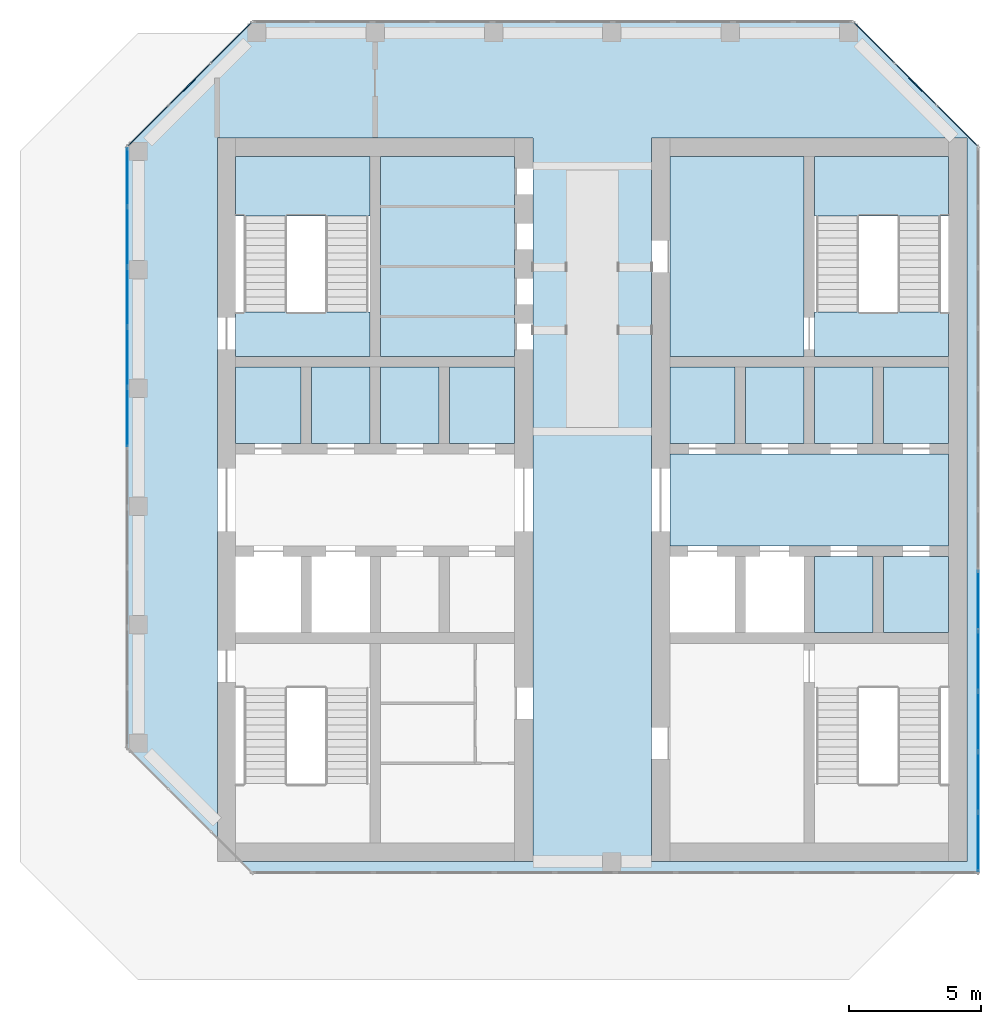
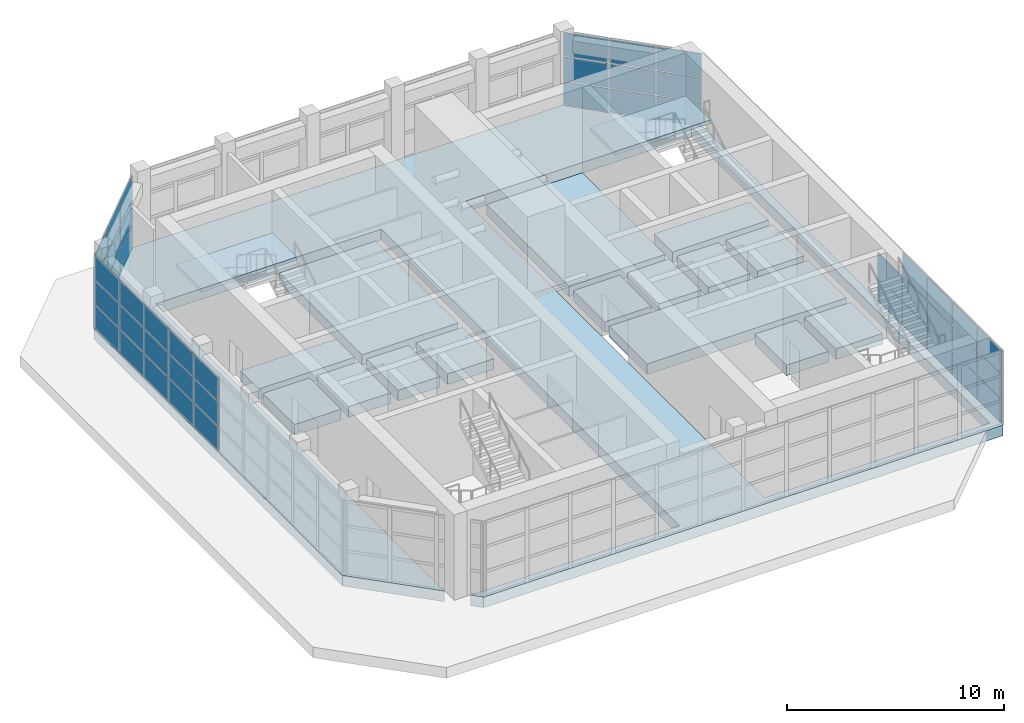
# One storey, part 8 of 13: 47 plates, 18 slabs, 6 elements without a shape of their own.
"""IFC4 building model written with IfcOpenShell, lengths in metres."""

from ifc_helpers import new_model, si_unit, direction, frame, origin, origin_2d, place, context, subcontext, project, spatial, polyline, rectangle, outline, extrude, material, layer, layer_set, type_object, element, aggregate, save


model = new_model("IFC4")

# Units and contexts
model_context = context("Model", 3, precision=1e-05, world=origin(), true_north=direction((0.0, 1.0)))
body_context = subcontext(model_context, "Body", "Model", "MODEL_VIEW")
ifc_project = project(units=[si_unit("LENGTHUNIT", "METRE"), si_unit("AREAUNIT", "SQUARE_METRE"), si_unit("VOLUMEUNIT", "CUBIC_METRE"), si_unit("PLANEANGLEUNIT", "RADIAN"), si_unit("MASSUNIT", "GRAM", prefix="KILO")], contexts=[model_context])

# Site, building, storey
site_placement = place(None, origin())
site = spatial("IfcSite", under=ifc_project, at=site_placement, CompositionType="ELEMENT")
building_placement = place(site_placement, origin())
building = spatial("IfcBuilding", under=site, at=building_placement, Name="Corbel Stack Research Tower", CompositionType="ELEMENT")
storey_placement = place(building_placement, frame((0.0, 0.0, 311.800048828125)))
storey = spatial("IfcBuildingStorey", under=building, at=storey_placement, Name="L70", CompositionType="ELEMENT", Elevation=311.800048828125)

# Curtain wall, plates
ifc_material_1 = material(Name="Aluminium and glass", Category="aluminium")
curtain_wall_type = type_object("IfcCurtainWallType", Name="CW4C damper hall glazing wall, corner", PredefinedType="NOTDEFINED", material=ifc_material_1)
curtain_wall_1_placement = place(storey_placement, origin())
curtain_wall_1 = element("IfcCurtainWall", 1, at=curtain_wall_1_placement, inside=storey, type_object=curtain_wall_type, Name="Damper hall curtain wall L70 2", PredefinedType="NOTDEFINED")
ifc_material_2 = material(Name="Glass, laminated amber tint", Category="glass")
ifc_layer_1 = layer(ifc_material_2, 0.031982421875)
ifc_layer_set_1 = layer_set([ifc_layer_1], Name="Glass, laminated amber tint")
plate_type = type_object("IfcPlateType", Name="CW4 amber laminated glass panel 32", PredefinedType="CURTAIN_PANEL", material=ifc_layer_set_1)
plate_1_placement = place(storey_placement, frame((-13.919921875, 7.892333984375, 0.059814453125), z_axis=(0.0, 0.0, 1.0), x_axis=(0.0, 1.0, 0.0)))
plate_1 = element("IfcPlate", 2, at=plate_1_placement, type_object=plate_type, Name="CW4C panel 6.1", PredefinedType="CURTAIN_PANEL", context=body_context, shape_type="SweptSolid", body=[
    extrude(rectangle(XDim=2.224853515625, YDim=0.031982421875, at=origin_2d()), origin(), (0.0, 0.0, 1.0), 1.31005859375),
])
plate_2_placement = place(storey_placement, frame((-13.919921875, 7.892333984375, 1.4296875), z_axis=(0.0, 0.0, 1.0), x_axis=(0.0, 1.0, 0.0)))
plate_2 = element("IfcPlate", 3, at=plate_2_placement, type_object=plate_type, Name="CW4C panel 6.2", PredefinedType="CURTAIN_PANEL", context=body_context, shape_type="SweptSolid", body=[
    extrude(rectangle(XDim=2.224853515625, YDim=0.031982421875, at=origin_2d()), origin(), (0.0, 0.0, 1.0), 1.340087890625),
])
plate_3_placement = place(storey_placement, frame((-13.919921875, 7.892333984375, 2.829833984375), z_axis=(0.0, 0.0, 1.0), x_axis=(0.0, 1.0, 0.0)))
plate_3 = element("IfcPlate", 4, at=plate_3_placement, type_object=plate_type, Name="CW4C panel 6.3", PredefinedType="CURTAIN_PANEL", context=body_context, shape_type="SweptSolid", body=[
    extrude(rectangle(XDim=2.224853515625, YDim=0.031982421875, at=origin_2d()), origin(), (0.0, 0.0, 1.0), 1.31005859375),
])
plate_4_placement = place(storey_placement, frame((-13.919921875, 10.17724609375, 0.059814453125), z_axis=(0.0, 0.0, 1.0), x_axis=(0.0, 1.0, 0.0)))
plate_4 = element("IfcPlate", 5, at=plate_4_placement, type_object=plate_type, Name="CW4C panel 7.1", PredefinedType="CURTAIN_PANEL", context=body_context, shape_type="SweptSolid", body=[
    extrude(rectangle(XDim=2.224853515625, YDim=0.031982421875, at=origin_2d()), origin(), (0.0, 0.0, 1.0), 1.31005859375),
])
plate_5_placement = place(storey_placement, frame((-13.919921875, 10.17724609375, 1.4296875), z_axis=(0.0, 0.0, 1.0), x_axis=(0.0, 1.0, 0.0)))
plate_5 = element("IfcPlate", 6, at=plate_5_placement, type_object=plate_type, Name="CW4C panel 7.2", PredefinedType="CURTAIN_PANEL", context=body_context, shape_type="SweptSolid", body=[
    extrude(rectangle(XDim=2.224853515625, YDim=0.031982421875, at=origin_2d()), origin(), (0.0, 0.0, 1.0), 1.340087890625),
])
plate_6_placement = place(storey_placement, frame((-13.919921875, 10.17724609375, 2.829833984375), z_axis=(0.0, 0.0, 1.0), x_axis=(0.0, 1.0, 0.0)))
plate_6 = element("IfcPlate", 7, at=plate_6_placement, type_object=plate_type, Name="CW4C panel 7.3", PredefinedType="CURTAIN_PANEL", context=body_context, shape_type="SweptSolid", body=[
    extrude(rectangle(XDim=2.224853515625, YDim=0.031982421875, at=origin_2d()), origin(), (0.0, 0.0, 1.0), 1.31005859375),
])
plate_7_placement = place(storey_placement, frame((-13.919921875, 12.4619140625, 0.059814453125), z_axis=(0.0, 0.0, 1.0), x_axis=(0.0, 1.0, 0.0)))
plate_7 = element("IfcPlate", 8, at=plate_7_placement, type_object=plate_type, Name="CW4C panel 8.1", PredefinedType="CURTAIN_PANEL", context=body_context, shape_type="SweptSolid", body=[
    extrude(rectangle(XDim=2.224853515625, YDim=0.031982421875, at=origin_2d()), origin(), (0.0, 0.0, 1.0), 1.31005859375),
])
plate_8_placement = place(storey_placement, frame((-13.919921875, 12.4619140625, 1.4296875), z_axis=(0.0, 0.0, 1.0), x_axis=(0.0, 1.0, 0.0)))
plate_8 = element("IfcPlate", 9, at=plate_8_placement, type_object=plate_type, Name="CW4C panel 8.2", PredefinedType="CURTAIN_PANEL", context=body_context, shape_type="SweptSolid", body=[
    extrude(rectangle(XDim=2.224853515625, YDim=0.031982421875, at=origin_2d()), origin(), (0.0, 0.0, 1.0), 1.340087890625),
])
plate_9_placement = place(storey_placement, frame((-13.919921875, 12.4619140625, 2.829833984375), z_axis=(0.0, 0.0, 1.0), x_axis=(0.0, 1.0, 0.0)))
plate_9 = element("IfcPlate", 10, at=plate_9_placement, type_object=plate_type, Name="CW4C panel 8.3", PredefinedType="CURTAIN_PANEL", context=body_context, shape_type="SweptSolid", body=[
    extrude(rectangle(XDim=2.224853515625, YDim=0.031982421875, at=origin_2d()), origin(), (0.0, 0.0, 1.0), 1.31005859375),
])
plate_10_placement = place(storey_placement, frame((-13.919921875, 14.746826171875, 0.059814453125), z_axis=(0.0, 0.0, 1.0), x_axis=(0.0, 1.0, 0.0)))
plate_10 = element("IfcPlate", 11, at=plate_10_placement, type_object=plate_type, Name="CW4C panel 9.1", PredefinedType="CURTAIN_PANEL", context=body_context, shape_type="SweptSolid", body=[
    extrude(rectangle(XDim=2.224853515625, YDim=0.031982421875, at=origin_2d()), origin(), (0.0, 0.0, 1.0), 1.31005859375),
])
plate_11_placement = place(storey_placement, frame((-13.919921875, 14.746826171875, 1.4296875), z_axis=(0.0, 0.0, 1.0), x_axis=(0.0, 1.0, 0.0)))
plate_11 = element("IfcPlate", 12, at=plate_11_placement, type_object=plate_type, Name="CW4C panel 9.2", PredefinedType="CURTAIN_PANEL", context=body_context, shape_type="SweptSolid", body=[
    extrude(rectangle(XDim=2.224853515625, YDim=0.031982421875, at=origin_2d()), origin(), (0.0, 0.0, 1.0), 1.340087890625),
])
plate_12_placement = place(storey_placement, frame((-13.919921875, 14.746826171875, 2.829833984375), z_axis=(0.0, 0.0, 1.0), x_axis=(0.0, 1.0, 0.0)))
plate_12 = element("IfcPlate", 13, at=plate_12_placement, type_object=plate_type, Name="CW4C panel 9.3", PredefinedType="CURTAIN_PANEL", context=body_context, shape_type="SweptSolid", body=[
    extrude(rectangle(XDim=2.224853515625, YDim=0.031982421875, at=origin_2d()), origin(), (0.0, 0.0, 1.0), 1.31005859375),
])
plate_13_placement = place(storey_placement, frame((-13.919921875, 17.0166015625, 0.059814453125), z_axis=(0.0, 0.0, 1.0), x_axis=(0.0, 1.0, 0.0)))
plate_13 = element("IfcPlate", 14, at=plate_13_placement, type_object=plate_type, Name="CW4C panel 10.1", PredefinedType="CURTAIN_PANEL", context=body_context, shape_type="SweptSolid", body=[
    extrude(rectangle(XDim=2.19482421875, YDim=0.031982421875, at=origin_2d()), origin(), (0.0, 0.0, 1.0), 1.31005859375),
])
plate_14_placement = place(storey_placement, frame((-13.919921875, 17.0166015625, 1.4296875), z_axis=(0.0, 0.0, 1.0), x_axis=(0.0, 1.0, 0.0)))
plate_14 = element("IfcPlate", 15, at=plate_14_placement, type_object=plate_type, Name="CW4C panel 10.2", PredefinedType="CURTAIN_PANEL", context=body_context, shape_type="SweptSolid", body=[
    extrude(rectangle(XDim=2.19482421875, YDim=0.031982421875, at=origin_2d()), origin(), (0.0, 0.0, 1.0), 1.340087890625),
])
plate_15_placement = place(storey_placement, frame((-13.919921875, 17.0166015625, 2.829833984375), z_axis=(0.0, 0.0, 1.0), x_axis=(0.0, 1.0, 0.0)))
plate_15 = element("IfcPlate", 16, at=plate_15_placement, type_object=plate_type, Name="CW4C panel 10.3", PredefinedType="CURTAIN_PANEL", context=body_context, shape_type="SweptSolid", body=[
    extrude(rectangle(XDim=2.19482421875, YDim=0.031982421875, at=origin_2d()), origin(), (0.0, 0.0, 1.0), 1.31005859375),
])
aggregate(curtain_wall_1, [plate_1, plate_2, plate_3, plate_4, plate_5, plate_6, plate_7, plate_8, plate_9, plate_10, plate_11, plate_12, plate_13, plate_14, plate_15])

curtain_wall_2_placement = place(storey_placement, origin())
curtain_wall_2 = element("IfcCurtainWall", 17, at=curtain_wall_2_placement, inside=storey, type_object=curtain_wall_type, Name="Damper hall curtain wall L70 3", PredefinedType="NOTDEFINED")
plate_16_placement = place(storey_placement, frame((-13.118408203125, 18.9755859375, 0.059814453125), z_axis=(0.0, 0.0, 1.0), x_axis=(0.707106781187, 0.707106781187, 0.0)))
plate_16 = element("IfcPlate", 18, at=plate_16_placement, type_object=plate_type, Name="CW4C panel 1.1", PredefinedType="CURTAIN_PANEL", context=body_context, shape_type="SweptSolid", body=[
    extrude(rectangle(XDim=2.147216796875, YDim=0.031982421875, at=origin_2d()), origin(), (0.0, 0.0, 1.0), 1.31005859375),
])
plate_17_placement = place(storey_placement, frame((-13.118408203125, 18.9755859375, 1.4296875), z_axis=(0.0, 0.0, 1.0), x_axis=(0.707106781187, 0.707106781187, 0.0)))
plate_17 = element("IfcPlate", 19, at=plate_17_placement, type_object=plate_type, Name="CW4C panel 1.2", PredefinedType="CURTAIN_PANEL", context=body_context, shape_type="SweptSolid", body=[
    extrude(rectangle(XDim=2.147216796875, YDim=0.031982421875, at=origin_2d()), origin(), (0.0, 0.0, 1.0), 1.340087890625),
])
plate_18_placement = place(storey_placement, frame((-13.118408203125, 18.9755859375, 2.829833984375), z_axis=(0.0, 0.0, 1.0), x_axis=(0.707106781187, 0.707106781187, 0.0)))
plate_18 = element("IfcPlate", 20, at=plate_18_placement, type_object=plate_type, Name="CW4C panel 1.3", PredefinedType="CURTAIN_PANEL", context=body_context, shape_type="SweptSolid", body=[
    extrude(rectangle(XDim=2.147216796875, YDim=0.031982421875, at=origin_2d()), origin(), (0.0, 0.0, 1.0), 1.31005859375),
])
plate_19_placement = place(storey_placement, frame((-11.547119140625, 20.547119140625, 0.059814453125), z_axis=(0.0, 0.0, 1.0), x_axis=(0.707106781187, 0.707106781187, 0.0)))
plate_19 = element("IfcPlate", 21, at=plate_19_placement, type_object=plate_type, Name="CW4C panel 2.1", PredefinedType="CURTAIN_PANEL", context=body_context, shape_type="SweptSolid", body=[
    extrude(rectangle(XDim=2.17724609375, YDim=0.031982421875, at=origin_2d()), origin(), (0.0, 0.0, 1.0), 1.31005859375),
])
plate_20_placement = place(storey_placement, frame((-11.547119140625, 20.547119140625, 1.4296875), z_axis=(0.0, 0.0, 1.0), x_axis=(0.707106781187, 0.707106781187, 0.0)))
plate_20 = element("IfcPlate", 22, at=plate_20_placement, type_object=plate_type, Name="CW4C panel 2.2", PredefinedType="CURTAIN_PANEL", context=body_context, shape_type="SweptSolid", body=[
    extrude(rectangle(XDim=2.17724609375, YDim=0.031982421875, at=origin_2d()), origin(), (0.0, 0.0, 1.0), 1.340087890625),
])
plate_21_placement = place(storey_placement, frame((-11.547119140625, 20.547119140625, 2.829833984375), z_axis=(0.0, 0.0, 1.0), x_axis=(0.707106781187, 0.707106781187, 0.0)))
plate_21 = element("IfcPlate", 23, at=plate_21_placement, type_object=plate_type, Name="CW4C panel 2.3", PredefinedType="CURTAIN_PANEL", context=body_context, shape_type="SweptSolid", body=[
    extrude(rectangle(XDim=2.17724609375, YDim=0.031982421875, at=origin_2d()), origin(), (0.0, 0.0, 1.0), 1.31005859375),
])
plate_22_placement = place(storey_placement, frame((-9.9755859375, 22.118408203125, 0.059814453125), z_axis=(0.0, 0.0, 1.0), x_axis=(0.707106781187, 0.707106781187, 0.0)))
plate_22 = element("IfcPlate", 24, at=plate_22_placement, type_object=plate_type, Name="CW4C panel 3.1", PredefinedType="CURTAIN_PANEL", context=body_context, shape_type="SweptSolid", body=[
    extrude(rectangle(XDim=2.147216796875, YDim=0.031982421875, at=origin_2d()), origin(), (0.0, 0.0, 1.0), 1.31005859375),
])
plate_23_placement = place(storey_placement, frame((-9.9755859375, 22.118408203125, 1.4296875), z_axis=(0.0, 0.0, 1.0), x_axis=(0.707106781187, 0.707106781187, 0.0)))
plate_23 = element("IfcPlate", 25, at=plate_23_placement, type_object=plate_type, Name="CW4C panel 3.2", PredefinedType="CURTAIN_PANEL", context=body_context, shape_type="SweptSolid", body=[
    extrude(rectangle(XDim=2.147216796875, YDim=0.031982421875, at=origin_2d()), origin(), (0.0, 0.0, 1.0), 1.340087890625),
])
plate_24_placement = place(storey_placement, frame((-9.9755859375, 22.118408203125, 2.829833984375), z_axis=(0.0, 0.0, 1.0), x_axis=(0.707106781187, 0.707106781187, 0.0)))
plate_24 = element("IfcPlate", 26, at=plate_24_placement, type_object=plate_type, Name="CW4C panel 3.3", PredefinedType="CURTAIN_PANEL", context=body_context, shape_type="SweptSolid", body=[
    extrude(rectangle(XDim=2.147216796875, YDim=0.031982421875, at=origin_2d()), origin(), (0.0, 0.0, 1.0), 1.31005859375),
])
aggregate(curtain_wall_2, [plate_16, plate_17, plate_18, plate_19, plate_20, plate_21, plate_22, plate_23, plate_24])

curtain_wall_3_placement = place(storey_placement, origin())
curtain_wall_3 = element("IfcCurtainWall", 27, at=curtain_wall_3_placement, inside=storey, type_object=curtain_wall_type, Name="Damper hall curtain wall L70 5", PredefinedType="NOTDEFINED")
plate_25_placement = place(storey_placement, frame((14.4755859375, 22.118408203125, 0.059814453125), z_axis=(0.0, 0.0, 1.0), x_axis=(0.707106781187, -0.707106781187, 0.0)))
plate_25 = element("IfcPlate", 28, at=plate_25_placement, type_object=plate_type, Name="CW4C panel 1.1", PredefinedType="CURTAIN_PANEL", context=body_context, shape_type="SweptSolid", body=[
    extrude(rectangle(XDim=2.147216796875, YDim=0.031982421875, at=origin_2d()), origin(), (0.0, 0.0, 1.0), 1.31005859375),
])
plate_26_placement = place(storey_placement, frame((14.4755859375, 22.118408203125, 1.4296875), z_axis=(0.0, 0.0, 1.0), x_axis=(0.707106781187, -0.707106781187, 0.0)))
plate_26 = element("IfcPlate", 29, at=plate_26_placement, type_object=plate_type, Name="CW4C panel 1.2", PredefinedType="CURTAIN_PANEL", context=body_context, shape_type="SweptSolid", body=[
    extrude(rectangle(XDim=2.147216796875, YDim=0.031982421875, at=origin_2d()), origin(), (0.0, 0.0, 1.0), 1.340087890625),
])
plate_27_placement = place(storey_placement, frame((14.4755859375, 22.118408203125, 2.829833984375), z_axis=(0.0, 0.0, 1.0), x_axis=(0.707106781187, -0.707106781187, 0.0)))
plate_27 = element("IfcPlate", 30, at=plate_27_placement, type_object=plate_type, Name="CW4C panel 1.3", PredefinedType="CURTAIN_PANEL", context=body_context, shape_type="SweptSolid", body=[
    extrude(rectangle(XDim=2.147216796875, YDim=0.031982421875, at=origin_2d()), origin(), (0.0, 0.0, 1.0), 1.31005859375),
])
plate_28_placement = place(storey_placement, frame((16.047119140625, 20.547119140625, 0.059814453125), z_axis=(0.0, 0.0, 1.0), x_axis=(0.707106781187, -0.707106781187, 0.0)))
plate_28 = element("IfcPlate", 31, at=plate_28_placement, type_object=plate_type, Name="CW4C panel 2.1", PredefinedType="CURTAIN_PANEL", context=body_context, shape_type="SweptSolid", body=[
    extrude(rectangle(XDim=2.17724609375, YDim=0.031982421875, at=origin_2d()), origin(), (0.0, 0.0, 1.0), 1.31005859375),
])
plate_29_placement = place(storey_placement, frame((16.047119140625, 20.547119140625, 1.4296875), z_axis=(0.0, 0.0, 1.0), x_axis=(0.707106781187, -0.707106781187, 0.0)))
plate_29 = element("IfcPlate", 32, at=plate_29_placement, type_object=plate_type, Name="CW4C panel 2.2", PredefinedType="CURTAIN_PANEL", context=body_context, shape_type="SweptSolid", body=[
    extrude(rectangle(XDim=2.17724609375, YDim=0.031982421875, at=origin_2d()), origin(), (0.0, 0.0, 1.0), 1.340087890625),
])
plate_30_placement = place(storey_placement, frame((16.047119140625, 20.547119140625, 2.829833984375), z_axis=(0.0, 0.0, 1.0), x_axis=(0.707106781187, -0.707106781187, 0.0)))
plate_30 = element("IfcPlate", 33, at=plate_30_placement, type_object=plate_type, Name="CW4C panel 2.3", PredefinedType="CURTAIN_PANEL", context=body_context, shape_type="SweptSolid", body=[
    extrude(rectangle(XDim=2.17724609375, YDim=0.031982421875, at=origin_2d()), origin(), (0.0, 0.0, 1.0), 1.31005859375),
])
plate_31_placement = place(storey_placement, frame((17.618408203125, 18.9755859375, 0.059814453125), z_axis=(0.0, 0.0, 1.0), x_axis=(0.707106781187, -0.707106781187, 0.0)))
plate_31 = element("IfcPlate", 34, at=plate_31_placement, type_object=plate_type, Name="CW4C panel 3.1", PredefinedType="CURTAIN_PANEL", context=body_context, shape_type="SweptSolid", body=[
    extrude(rectangle(XDim=2.147216796875, YDim=0.031982421875, at=origin_2d()), origin(), (0.0, 0.0, 1.0), 1.31005859375),
])
plate_32_placement = place(storey_placement, frame((17.618408203125, 18.9755859375, 1.4296875), z_axis=(0.0, 0.0, 1.0), x_axis=(0.707106781187, -0.707106781187, 0.0)))
plate_32 = element("IfcPlate", 35, at=plate_32_placement, type_object=plate_type, Name="CW4C panel 3.2", PredefinedType="CURTAIN_PANEL", context=body_context, shape_type="SweptSolid", body=[
    extrude(rectangle(XDim=2.147216796875, YDim=0.031982421875, at=origin_2d()), origin(), (0.0, 0.0, 1.0), 1.340087890625),
])
plate_33_placement = place(storey_placement, frame((17.618408203125, 18.9755859375, 2.829833984375), z_axis=(0.0, 0.0, 1.0), x_axis=(0.707106781187, -0.707106781187, 0.0)))
plate_33 = element("IfcPlate", 36, at=plate_33_placement, type_object=plate_type, Name="CW4C panel 3.3", PredefinedType="CURTAIN_PANEL", context=body_context, shape_type="SweptSolid", body=[
    extrude(rectangle(XDim=2.147216796875, YDim=0.031982421875, at=origin_2d()), origin(), (0.0, 0.0, 1.0), 1.31005859375),
])
aggregate(curtain_wall_3, [plate_25, plate_26, plate_27, plate_28, plate_29, plate_30, plate_31, plate_32, plate_33])

curtain_wall_4_placement = place(storey_placement, origin())
curtain_wall_4 = element("IfcCurtainWall", 37, at=curtain_wall_4_placement, inside=storey, type_object=curtain_wall_type, Name="Damper hall curtain wall L70 6", PredefinedType="NOTDEFINED")
plate_34_placement = place(storey_placement, frame((18.419921875, 0.927734375, 0.059814453125), z_axis=(0.0, 0.0, 1.0), x_axis=(0.0, -1.0, 0.0)))
plate_34 = element("IfcPlate", 38, at=plate_34_placement, type_object=plate_type, Name="CW4C panel 8.1", PredefinedType="CURTAIN_PANEL", context=body_context, shape_type="SweptSolid", body=[
    extrude(rectangle(XDim=2.239501953125, YDim=0.031982421875, at=origin_2d()), origin(), (0.0, 0.0, 1.0), 1.31005859375),
])
plate_35_placement = place(storey_placement, frame((18.419921875, 0.927734375, 1.4296875), z_axis=(0.0, 0.0, 1.0), x_axis=(0.0, -1.0, 0.0)))
plate_35 = element("IfcPlate", 39, at=plate_35_placement, type_object=plate_type, Name="CW4C panel 8.2", PredefinedType="CURTAIN_PANEL", context=body_context, shape_type="SweptSolid", body=[
    extrude(rectangle(XDim=2.239501953125, YDim=0.031982421875, at=origin_2d()), origin(), (0.0, 0.0, 1.0), 1.340087890625),
])
plate_36_placement = place(storey_placement, frame((18.419921875, -1.371826171875, 0.059814453125), z_axis=(0.0, 0.0, 1.0), x_axis=(0.0, -1.0, 0.0)))
plate_36 = element("IfcPlate", 40, at=plate_36_placement, type_object=plate_type, Name="CW4C panel 9.1", PredefinedType="CURTAIN_PANEL", context=body_context, shape_type="SweptSolid", body=[
    extrude(rectangle(XDim=2.239501953125, YDim=0.031982421875, at=origin_2d()), origin(), (0.0, 0.0, 1.0), 1.31005859375),
])
plate_37_placement = place(storey_placement, frame((18.419921875, -1.371826171875, 1.4296875), z_axis=(0.0, 0.0, 1.0), x_axis=(0.0, -1.0, 0.0)))
plate_37 = element("IfcPlate", 41, at=plate_37_placement, type_object=plate_type, Name="CW4C panel 9.2", PredefinedType="CURTAIN_PANEL", context=body_context, shape_type="SweptSolid", body=[
    extrude(rectangle(XDim=2.239501953125, YDim=0.031982421875, at=origin_2d()), origin(), (0.0, 0.0, 1.0), 1.340087890625),
])
plate_38_placement = place(storey_placement, frame((18.419921875, -1.371826171875, 2.829833984375), z_axis=(0.0, 0.0, 1.0), x_axis=(0.0, -1.0, 0.0)))
plate_38 = element("IfcPlate", 42, at=plate_38_placement, type_object=plate_type, Name="CW4C panel 9.3", PredefinedType="CURTAIN_PANEL", context=body_context, shape_type="SweptSolid", body=[
    extrude(rectangle(XDim=2.239501953125, YDim=0.031982421875, at=origin_2d()), origin(), (0.0, 0.0, 1.0), 1.31005859375),
])
plate_39_placement = place(storey_placement, frame((18.419921875, -3.671142578125, 0.059814453125), z_axis=(0.0, 0.0, 1.0), x_axis=(0.0, -1.0, 0.0)))
plate_39 = element("IfcPlate", 43, at=plate_39_placement, type_object=plate_type, Name="CW4C panel 10.1", PredefinedType="CURTAIN_PANEL", context=body_context, shape_type="SweptSolid", body=[
    extrude(rectangle(XDim=2.239501953125, YDim=0.031982421875, at=origin_2d()), origin(), (0.0, 0.0, 1.0), 1.31005859375),
])
plate_40_placement = place(storey_placement, frame((18.419921875, -3.671142578125, 1.4296875), z_axis=(0.0, 0.0, 1.0), x_axis=(0.0, -1.0, 0.0)))
plate_40 = element("IfcPlate", 44, at=plate_40_placement, type_object=plate_type, Name="CW4C panel 10.2", PredefinedType="CURTAIN_PANEL", context=body_context, shape_type="SweptSolid", body=[
    extrude(rectangle(XDim=2.239501953125, YDim=0.031982421875, at=origin_2d()), origin(), (0.0, 0.0, 1.0), 1.340087890625),
])
plate_41_placement = place(storey_placement, frame((18.419921875, -3.671142578125, 2.829833984375), z_axis=(0.0, 0.0, 1.0), x_axis=(0.0, -1.0, 0.0)))
plate_41 = element("IfcPlate", 45, at=plate_41_placement, type_object=plate_type, Name="CW4C panel 10.3", PredefinedType="CURTAIN_PANEL", context=body_context, shape_type="SweptSolid", body=[
    extrude(rectangle(XDim=2.239501953125, YDim=0.031982421875, at=origin_2d()), origin(), (0.0, 0.0, 1.0), 1.31005859375),
])
plate_42_placement = place(storey_placement, frame((18.419921875, -5.970703125, 0.059814453125), z_axis=(0.0, 0.0, 1.0), x_axis=(0.0, -1.0, 0.0)))
plate_42 = element("IfcPlate", 46, at=plate_42_placement, type_object=plate_type, Name="CW4C panel 11.1", PredefinedType="CURTAIN_PANEL", context=body_context, shape_type="SweptSolid", body=[
    extrude(rectangle(XDim=2.239501953125, YDim=0.031982421875, at=origin_2d()), origin(), (0.0, 0.0, 1.0), 1.31005859375),
])
plate_43_placement = place(storey_placement, frame((18.419921875, -5.970703125, 1.4296875), z_axis=(0.0, 0.0, 1.0), x_axis=(0.0, -1.0, 0.0)))
plate_43 = element("IfcPlate", 47, at=plate_43_placement, type_object=plate_type, Name="CW4C panel 11.2", PredefinedType="CURTAIN_PANEL", context=body_context, shape_type="SweptSolid", body=[
    extrude(rectangle(XDim=2.239501953125, YDim=0.031982421875, at=origin_2d()), origin(), (0.0, 0.0, 1.0), 1.340087890625),
])
plate_44_placement = place(storey_placement, frame((18.419921875, -5.970703125, 2.829833984375), z_axis=(0.0, 0.0, 1.0), x_axis=(0.0, -1.0, 0.0)))
plate_44 = element("IfcPlate", 48, at=plate_44_placement, type_object=plate_type, Name="CW4C panel 11.3", PredefinedType="CURTAIN_PANEL", context=body_context, shape_type="SweptSolid", body=[
    extrude(rectangle(XDim=2.239501953125, YDim=0.031982421875, at=origin_2d()), origin(), (0.0, 0.0, 1.0), 1.31005859375),
])
plate_45_placement = place(storey_placement, frame((18.419921875, -8.25537109375, 0.059814453125), z_axis=(0.0, 0.0, 1.0), x_axis=(0.0, -1.0, 0.0)))
plate_45 = element("IfcPlate", 49, at=plate_45_placement, type_object=plate_type, Name="CW4C panel 12.1", PredefinedType="CURTAIN_PANEL", context=body_context, shape_type="SweptSolid", body=[
    extrude(rectangle(XDim=2.20947265625, YDim=0.031982421875, at=origin_2d()), origin(), (0.0, 0.0, 1.0), 1.31005859375),
])
plate_46_placement = place(storey_placement, frame((18.419921875, -8.25537109375, 1.4296875), z_axis=(0.0, 0.0, 1.0), x_axis=(0.0, -1.0, 0.0)))
plate_46 = element("IfcPlate", 50, at=plate_46_placement, type_object=plate_type, Name="CW4C panel 12.2", PredefinedType="CURTAIN_PANEL", context=body_context, shape_type="SweptSolid", body=[
    extrude(rectangle(XDim=2.20947265625, YDim=0.031982421875, at=origin_2d()), origin(), (0.0, 0.0, 1.0), 1.340087890625),
])
plate_47_placement = place(storey_placement, frame((18.419921875, -8.25537109375, 2.829833984375), z_axis=(0.0, 0.0, 1.0), x_axis=(0.0, -1.0, 0.0)))
plate_47 = element("IfcPlate", 51, at=plate_47_placement, type_object=plate_type, Name="CW4C panel 12.3", PredefinedType="CURTAIN_PANEL", context=body_context, shape_type="SweptSolid", body=[
    extrude(rectangle(XDim=2.20947265625, YDim=0.031982421875, at=origin_2d()), origin(), (0.0, 0.0, 1.0), 1.31005859375),
])
aggregate(curtain_wall_4, [plate_34, plate_35, plate_36, plate_37, plate_38, plate_39, plate_40, plate_41, plate_42, plate_43, plate_44, plate_45, plate_46, plate_47])

# Slabs
ifc_material_3 = material(Name="Concrete C45/55", Category="concrete")
ifc_layer_2 = layer(ifc_material_3, 0.60009765625)
ifc_layer_set_2 = layer_set([ifc_layer_2], Name="Concrete C45/55")
slab_type_1 = type_object("IfcSlabType", Name="PT-600", PredefinedType="FLOOR", material=ifc_layer_set_2)
slab_1_placement = place(storey_placement, frame((0.0, 0.0, -0.60009765625)))
element("IfcSlab", 52, at=slab_1_placement, inside=storey, type_object=slab_type_1, Name="Floor slab L70", PredefinedType="FLOOR", context=body_context, shape_type="SweptSolid", body=[
    extrude(outline(polyline([(-10.5, -8.136474609375), (-10.5, 18.5), (1.5, 18.5), (1.5, -9.0), (-9.636474609375, -9.0), (-9.186279296875, -9.449951171875), (18.449951171875, -9.449951171875), (18.449951171875, 18.186279296875), (13.686279296875, 22.949951171875), (-9.186279296875, 22.949951171875), (-13.949951171875, 18.186279296875), (-13.949951171875, -4.686279296875), (-10.5, -8.136474609375)]), holes=[polyline([(6.0, -9.0), (6.0, 18.5), (18.0, 18.5), (18.0, -9.0), (6.0, -9.0)])]), origin(), (0.0, 0.0, 1.0), 0.60009765625),
])
slab_2_placement = place(storey_placement, frame((0.0, 0.0, -0.60009765625)))
element("IfcSlab", 53, at=slab_2_placement, inside=storey, type_object=slab_type_1, Name="West core floor L70", PredefinedType="FLOOR", context=body_context, shape_type="SweptSolid", body=[
    extrude(outline(polyline([(-9.800048828125, 6.89990234375), (-7.324951171875, 6.89990234375), (-7.324951171875, 9.800048828125), (-9.800048828125, 9.800048828125), (-9.800048828125, 6.89990234375)])), origin(), (0.0, 0.0, 1.0), 0.60009765625),
])
slab_3_placement = place(storey_placement, frame((0.0, 0.0, -0.60009765625)))
element("IfcSlab", 54, at=slab_3_placement, inside=storey, type_object=slab_type_1, Name="West core floor L70", PredefinedType="FLOOR", context=body_context, shape_type="SweptSolid", body=[
    extrude(outline(polyline([(-6.925048828125, 6.89990234375), (-4.699951171875, 6.89990234375), (-4.699951171875, 9.800048828125), (-6.925048828125, 9.800048828125), (-6.925048828125, 6.89990234375)])), origin(), (0.0, 0.0, 1.0), 0.60009765625),
])
slab_4_placement = place(storey_placement, frame((0.0, 0.0, -0.60009765625)))
element("IfcSlab", 55, at=slab_4_placement, inside=storey, type_object=slab_type_1, Name="West core floor L70", PredefinedType="FLOOR", context=body_context, shape_type="SweptSolid", body=[
    extrude(outline(polyline([(-2.074951171875, 6.89990234375), (-2.074951171875, 9.800048828125), (-4.300048828125, 9.800048828125), (-4.300048828125, 6.89990234375), (-2.074951171875, 6.89990234375)])), origin(), (0.0, 0.0, 1.0), 0.60009765625),
])
slab_5_placement = place(storey_placement, frame((0.0, 0.0, -0.60009765625)))
element("IfcSlab", 56, at=slab_5_placement, inside=storey, type_object=slab_type_1, Name="West core floor L70", PredefinedType="FLOOR", context=body_context, shape_type="SweptSolid", body=[
    extrude(outline(polyline([(-4.300048828125, 17.800048828125), (-4.300048828125, 10.199951171875), (0.800048828125, 10.199951171875), (0.800048828125, 17.800048828125), (-4.300048828125, 17.800048828125)])), origin(), (0.0, 0.0, 1.0), 0.60009765625),
])
slab_6_placement = place(storey_placement, frame((0.0, 0.0, -0.60009765625)))
element("IfcSlab", 57, at=slab_6_placement, inside=storey, type_object=slab_type_1, Name="West core floor L70", PredefinedType="FLOOR", context=body_context, shape_type="SweptSolid", body=[
    extrude(outline(polyline([(0.800048828125, 6.89990234375), (0.800048828125, 9.800048828125), (-1.675048828125, 9.800048828125), (-1.675048828125, 6.89990234375), (0.800048828125, 6.89990234375)])), origin(), (0.0, 0.0, 1.0), 0.60009765625),
])
slab_7_placement = place(storey_placement, frame((0.0, 0.0, -0.60009765625)))
element("IfcSlab", 58, at=slab_7_placement, inside=storey, type_object=slab_type_1, Name="East core floor L70", PredefinedType="FLOOR", context=body_context, shape_type="SweptSolid", body=[
    extrude(outline(polyline([(6.699951171875, 3.0), (17.300048828125, 3.0), (17.300048828125, 6.5), (6.699951171875, 6.5), (6.699951171875, 3.0)])), origin(), (0.0, 0.0, 1.0), 0.60009765625),
])
slab_8_placement = place(storey_placement, frame((0.0, 0.0, -0.60009765625)))
element("IfcSlab", 59, at=slab_8_placement, inside=storey, type_object=slab_type_1, Name="East core floor L70", PredefinedType="FLOOR", context=body_context, shape_type="SweptSolid", body=[
    extrude(outline(polyline([(6.699951171875, 6.89990234375), (9.175048828125, 6.89990234375), (9.175048828125, 9.800048828125), (6.699951171875, 9.800048828125), (6.699951171875, 6.89990234375)])), origin(), (0.0, 0.0, 1.0), 0.60009765625),
])
slab_9_placement = place(storey_placement, frame((0.0, 0.0, -0.60009765625)))
element("IfcSlab", 60, at=slab_9_placement, inside=storey, type_object=slab_type_1, Name="East core floor L70", PredefinedType="FLOOR", context=body_context, shape_type="SweptSolid", body=[
    extrude(outline(polyline([(6.699951171875, 10.199951171875), (11.800048828125, 10.199951171875), (11.800048828125, 17.800048828125), (6.699951171875, 17.800048828125), (6.699951171875, 10.199951171875)])), origin(), (0.0, 0.0, 1.0), 0.60009765625),
])
slab_10_placement = place(storey_placement, frame((0.0, 0.0, -0.60009765625)))
element("IfcSlab", 61, at=slab_10_placement, inside=storey, type_object=slab_type_1, Name="East core floor L70", PredefinedType="FLOOR", context=body_context, shape_type="SweptSolid", body=[
    extrude(outline(polyline([(9.574951171875, 6.89990234375), (11.800048828125, 6.89990234375), (11.800048828125, 9.800048828125), (9.574951171875, 9.800048828125), (9.574951171875, 6.89990234375)])), origin(), (0.0, 0.0, 1.0), 0.60009765625),
])
slab_11_placement = place(storey_placement, frame((0.0, 0.0, -0.60009765625)))
element("IfcSlab", 62, at=slab_11_placement, inside=storey, type_object=slab_type_1, Name="East core floor L70", PredefinedType="FLOOR", context=body_context, shape_type="SweptSolid", body=[
    extrude(outline(polyline([(12.199951171875, 2.60009765625), (12.199951171875, -0.300048828125), (14.425048828125, -0.300048828125), (14.425048828125, 2.60009765625), (12.199951171875, 2.60009765625)])), origin(), (0.0, 0.0, 1.0), 0.60009765625),
])
slab_12_placement = place(storey_placement, frame((0.0, 0.0, -0.60009765625)))
element("IfcSlab", 63, at=slab_12_placement, inside=storey, type_object=slab_type_1, Name="East core floor L70", PredefinedType="FLOOR", context=body_context, shape_type="SweptSolid", body=[
    extrude(outline(polyline([(14.425048828125, 6.89990234375), (14.425048828125, 9.800048828125), (12.199951171875, 9.800048828125), (12.199951171875, 6.89990234375), (14.425048828125, 6.89990234375)])), origin(), (0.0, 0.0, 1.0), 0.60009765625),
])
slab_13_placement = place(storey_placement, frame((0.0, 0.0, -0.60009765625)))
element("IfcSlab", 64, at=slab_13_placement, inside=storey, type_object=slab_type_1, Name="East core floor L70", PredefinedType="FLOOR", context=body_context, shape_type="SweptSolid", body=[
    extrude(outline(polyline([(14.824951171875, 2.60009765625), (14.824951171875, -0.300048828125), (17.300048828125, -0.300048828125), (17.300048828125, 2.60009765625), (14.824951171875, 2.60009765625)])), origin(), (0.0, 0.0, 1.0), 0.60009765625),
])
slab_14_placement = place(storey_placement, frame((0.0, 0.0, -0.60009765625)))
element("IfcSlab", 65, at=slab_14_placement, inside=storey, type_object=slab_type_1, Name="East core floor L70", PredefinedType="FLOOR", context=body_context, shape_type="SweptSolid", body=[
    extrude(outline(polyline([(17.300048828125, 6.89990234375), (17.300048828125, 9.800048828125), (14.824951171875, 9.800048828125), (14.824951171875, 6.89990234375), (17.300048828125, 6.89990234375)])), origin(), (0.0, 0.0, 1.0), 0.60009765625),
])
slab_15_placement = place(storey_placement, frame((0.0, 0.0, -0.60009765625)))
element("IfcSlab", 66, at=slab_15_placement, inside=storey, type_object=slab_type_1, Name="Stair floor landing ST-W2", PredefinedType="FLOOR", context=body_context, shape_type="SweptSolid", body=[
    extrude(outline(polyline([(-9.800048828125, 10.199951171875), (-4.699951171875, 10.199951171875), (-4.699951171875, 11.89990234375), (-9.800048828125, 11.89990234375), (-9.800048828125, 10.199951171875)])), origin(), (0.0, 0.0, 1.0), 0.60009765625),
])
slab_16_placement = place(storey_placement, frame((0.0, 0.0, -0.60009765625)))
element("IfcSlab", 67, at=slab_16_placement, inside=storey, type_object=slab_type_1, Name="Stair floor landing ST-E2", PredefinedType="FLOOR", context=body_context, shape_type="SweptSolid", body=[
    extrude(outline(polyline([(12.199951171875, 10.199951171875), (17.300048828125, 10.199951171875), (17.300048828125, 11.89990234375), (12.199951171875, 11.89990234375), (12.199951171875, 10.199951171875)])), origin(), (0.0, 0.0, 1.0), 0.60009765625),
])

# Stair, slab
ifc_material_4 = material(Name="Concrete C40/50", Category="concrete")
stair_type = type_object("IfcStairType", Name="Exit stair 28 risers", PredefinedType="HALF_TURN_STAIR", material=ifc_material_4)
stair_1_placement = place(storey_placement, origin())
stair_1 = element("IfcStair", 68, at=stair_1_placement, inside=storey, type_object=stair_type, Name="L70 Exit stair ST-W2", PredefinedType="HALF_TURN_STAIR")
ifc_material_5 = material(Name="Concrete C40/50", Category="concrete")
ifc_layer_3 = layer(ifc_material_5, 0.199951171875)
ifc_layer_set_3 = layer_set([ifc_layer_3], Name="Concrete C40/50")
slab_type_2 = type_object("IfcSlabType", Name="Stair landing 200 C40/50", PredefinedType="LANDING", material=ifc_layer_set_3)
slab_17_placement = place(storey_placement, frame((0.0, 0.0, 2.199951171875)))
slab_17 = element("IfcSlab", 69, at=slab_17_placement, type_object=slab_type_2, Name="ST-W2 landing 1", PredefinedType="LANDING", context=body_context, shape_type="SweptSolid", body=[
    extrude(outline(polyline([(-9.800048828125, 15.5400390625), (-9.800048828125, 17.800048828125), (-4.699951171875, 17.800048828125), (-4.699951171875, 15.5400390625), (-9.800048828125, 15.5400390625)])), origin(), (0.0, 0.0, 1.0), 0.199951171875),
])
aggregate(stair_1, [slab_17])

stair_2_placement = place(storey_placement, origin())
stair_2 = element("IfcStair", 70, at=stair_2_placement, inside=storey, type_object=stair_type, Name="L70 Exit stair ST-E2", PredefinedType="HALF_TURN_STAIR")
slab_18_placement = place(storey_placement, frame((0.0, 0.0, 2.199951171875)))
slab_18 = element("IfcSlab", 71, at=slab_18_placement, type_object=slab_type_2, Name="ST-E2 landing 1", PredefinedType="LANDING", context=body_context, shape_type="SweptSolid", body=[
    extrude(outline(polyline([(12.199951171875, 15.5400390625), (12.199951171875, 17.800048828125), (17.300048828125, 17.800048828125), (17.300048828125, 15.5400390625), (12.199951171875, 15.5400390625)])), origin(), (0.0, 0.0, 1.0), 0.199951171875),
])
aggregate(stair_2, [slab_18])

save(model, "model.ifc")
